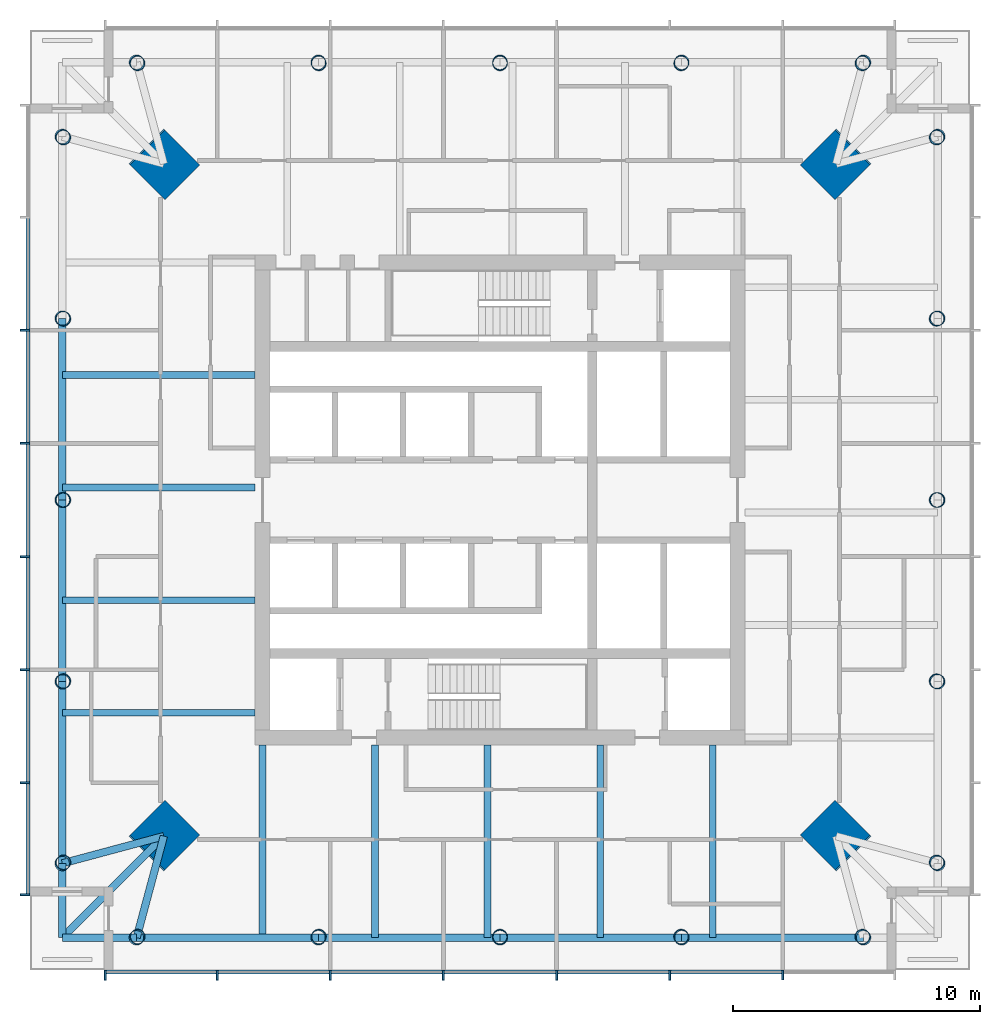
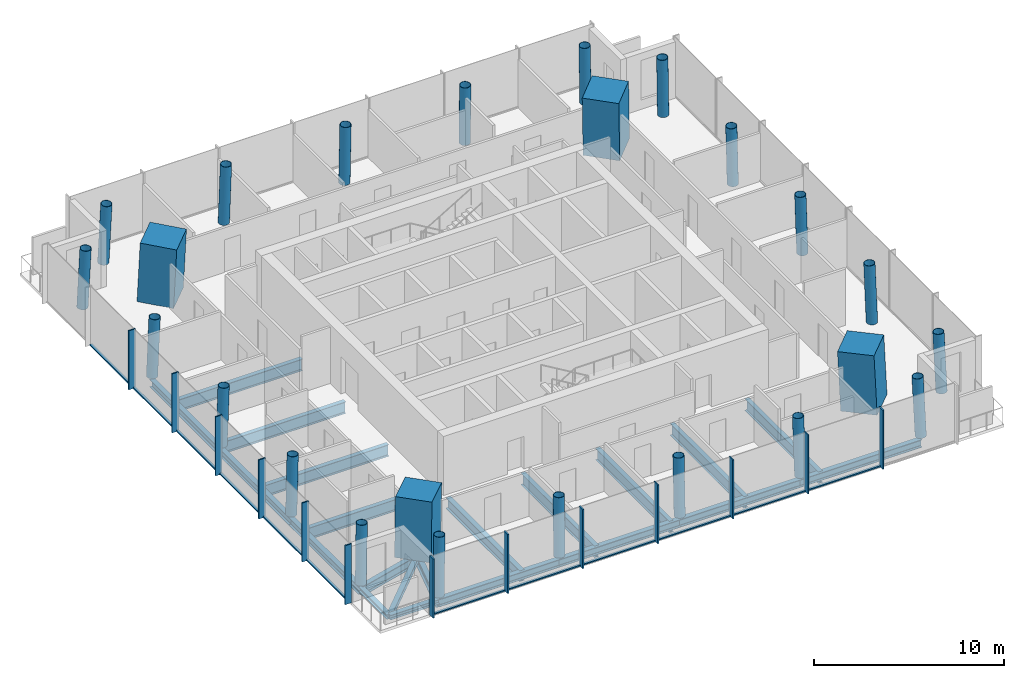
# One storey, part 1 of 7: 25 members, 24 columns, 21 beams, 2 elements without a shape of their own.
"""IFC4 building model written with IfcOpenShell, lengths in metres."""

from ifc_helpers import new_model, si_unit, direction, frame, origin, origin_2d, place, context, subcontext, project, spatial, rectangle, hollow_circle, i_section, extrude, material, material_profile, profile_set, type_object, element, aggregate, save


model = new_model("IFC4")

# Units and contexts
model_context = context("Model", 3, precision=1e-05, world=origin(), true_north=direction((0.0, 1.0)))
body_context = subcontext(model_context, "Body", "Model", "MODEL_VIEW")
ifc_project = project(units=[si_unit("LENGTHUNIT", "METRE"), si_unit("AREAUNIT", "SQUARE_METRE"), si_unit("VOLUMEUNIT", "CUBIC_METRE"), si_unit("PLANEANGLEUNIT", "RADIAN"), si_unit("MASSUNIT", "GRAM", prefix="KILO")], contexts=[model_context])

# Site, building, storey
site_placement = place(None, origin())
site = spatial("IfcSite", under=ifc_project, at=site_placement, CompositionType="ELEMENT")
building_placement = place(site_placement, origin())
building = spatial("IfcBuilding", under=site, at=building_placement, Name="Ostroluk Exchange", CompositionType="ELEMENT")
storey_placement = place(building_placement, frame((0.0, 0.0, 218.60009765625)))
storey = spatial("IfcBuildingStorey", under=building, at=storey_placement, Name="L56", CompositionType="ELEMENT", Elevation=218.60009765625)

# Columns
ifc_material_1 = material(Name="Concrete C50/60", Category="concrete")
ifc_material_profile_1 = material_profile(ifc_material_1, rectangle(XDim=2.0, YDim=2.0, at=origin_2d()), Name="RC 2000x2000")
ifc_profile_set_1 = profile_set([ifc_material_profile_1], Name="Concrete C50/60")
column_type_1 = type_object("IfcColumnType", Name="Mega column RC 2000x2000", PredefinedType="COLUMN", material=ifc_profile_set_1)
for number, where, z_axis, x_axis, name in (
    (1, (58.585693359375, 59.585693359375, 0.0), (-0.031900153262, -0.031900153262, 0.998981861919), (0.707106781187, -0.707106781187, 0.0), "T1 mega column NE"),
    (2, (31.414306640625, 59.585693359375, 0.0), (0.031900153262, -0.031900153262, 0.998981861919), (0.707106781187, 0.707106781187, 0.0), "T1 mega column NW"),
    (3, (31.414306640625, 32.414306640625, 0.0), (0.031900153262, 0.031900153262, 0.998981861919), (-0.707106781187, 0.707106781187, 0.0), "T1 mega column SW"),
    (4, (58.585693359375, 32.414306640625, 0.0), (-0.031900153262, 0.031900153262, 0.998981861919), (-0.707106781187, -0.707106781187, 0.0), "T1 mega column SE"),
):
    element("IfcColumn", number, at=place(storey_placement, frame(where, z_axis=z_axis, x_axis=x_axis)), inside=storey, type_object=column_type_1, Name=name, PredefinedType="COLUMN", context=body_context, shape_type="SweptSolid", body=[
        extrude(rectangle(XDim=2.0, YDim=2.0, at=origin_2d()), origin(), (0.0, 0.0, 1.0), 3.8037109375),
    ])
ifc_material_2 = material(Name="Steel S460", Category="steel")
ifc_material_profile_2 = material_profile(ifc_material_2, hollow_circle(Radius=0.304931640625, WallThickness=0.02490234375, at=origin_2d()), Name="CHS 610x25")
ifc_profile_set_2 = profile_set([ifc_material_profile_2], Name="Steel S460")
column_type_2 = type_object("IfcColumnType", Name="Perimeter column CHS 610x25", PredefinedType="COLUMN", material=ifc_profile_set_2)
for number, where, z_axis, x_axis, name in (
    (5, (62.685791015625, 31.314208984375, 0.0), (-0.031964207655, 0.031964207655, 0.998977766949), (-0.707106781187, -0.707106781187, 0.0), "T1 east face column E0"),
    (6, (62.685791015625, 60.685791015625, 0.0), (-0.031964207655, -0.031964207655, 0.998977766949), (0.707106781187, -0.707106781187, 0.0), "T1 east face column E1"),
):
    element("IfcColumn", number, at=place(storey_placement, frame(where, z_axis=z_axis, x_axis=x_axis)), inside=storey, type_object=column_type_2, Name=name, PredefinedType="COLUMN", context=body_context, shape_type="SweptSolid", body=[
        extrude(hollow_circle(Radius=0.304931640625, WallThickness=0.02490234375, at=origin_2d()), origin(), (0.0, 0.0, 1.0), 3.8037109375),
    ])
column_1_placement = place(storey_placement, frame((62.685791015625, 38.6572265625, 0.0), z_axis=(-0.031976494272, 0.015924037308, 0.99936176075), x_axis=(-0.445775033553, -0.895145027055, 0.0)))
element("IfcColumn", 7, at=column_1_placement, inside=storey, type_object=column_type_2, Name="T1 east face column I1", PredefinedType="COLUMN", context=body_context, shape_type="SweptSolid", body=[
    extrude(hollow_circle(Radius=0.304931640625, WallThickness=0.02490234375, at=origin_2d()), origin(), (0.0, 0.0, 1.0), 3.80224609375),
])
column_2_placement = place(storey_placement, frame((62.685791015625, 46.0, 0.0), z_axis=(-0.031980549263, 0.0, 0.999488491414), x_axis=(0.0, -1.0, 0.0)))
element("IfcColumn", 8, at=column_2_placement, inside=storey, type_object=column_type_2, Name="T1 east face column I2", PredefinedType="COLUMN", context=body_context, shape_type="SweptSolid", body=[
    extrude(hollow_circle(Radius=0.304931640625, WallThickness=0.02490234375, at=origin_2d()), origin(), (0.0, 0.0, 1.0), 3.8017578125),
])
column_3_placement = place(storey_placement, frame((62.685791015625, 53.3427734375, 0.0), z_axis=(-0.031976494272, -0.015924037308, 0.99936176075), x_axis=(0.445775033553, -0.895145027055, 0.0)))
element("IfcColumn", 9, at=column_3_placement, inside=storey, type_object=column_type_2, Name="T1 east face column I3", PredefinedType="COLUMN", context=body_context, shape_type="SweptSolid", body=[
    extrude(hollow_circle(Radius=0.304931640625, WallThickness=0.02490234375, at=origin_2d()), origin(), (0.0, 0.0, 1.0), 3.80224609375),
])
for number, where, z_axis, x_axis, name in (
    (10, (59.685791015625, 63.685791015625, 0.0), (-0.031964207655, -0.031964207655, 0.998977766949), (0.707106781187, -0.707106781187, 0.0), "T1 north face column E0"),
    (11, (30.314208984375, 63.685791015625, 0.0), (0.031964207655, -0.031964207655, 0.998977766949), (0.707106781187, 0.707106781187, 0.0), "T1 north face column E1"),
):
    element("IfcColumn", number, at=place(storey_placement, frame(where, z_axis=z_axis, x_axis=x_axis)), inside=storey, type_object=column_type_2, Name=name, PredefinedType="COLUMN", context=body_context, shape_type="SweptSolid", body=[
        extrude(hollow_circle(Radius=0.304931640625, WallThickness=0.02490234375, at=origin_2d()), origin(), (0.0, 0.0, 1.0), 3.8037109375),
    ])
column_4_placement = place(storey_placement, frame((52.3427734375, 63.685791015625, 0.0), z_axis=(-0.015924037308, -0.031976494272, 0.99936176075), x_axis=(0.895145027055, -0.445775033553, 0.0)))
element("IfcColumn", 12, at=column_4_placement, inside=storey, type_object=column_type_2, Name="T1 north face column I1", PredefinedType="COLUMN", context=body_context, shape_type="SweptSolid", body=[
    extrude(hollow_circle(Radius=0.304931640625, WallThickness=0.02490234375, at=origin_2d()), origin(), (0.0, 0.0, 1.0), 3.80224609375),
])
column_5_placement = place(storey_placement, frame((45.0, 63.685791015625, 0.0), z_axis=(0.0, -0.031980549263, 0.999488491414), x_axis=(1.0, 0.0, 0.0)))
element("IfcColumn", 13, at=column_5_placement, inside=storey, type_object=column_type_2, Name="T1 north face column I2", PredefinedType="COLUMN", context=body_context, shape_type="SweptSolid", body=[
    extrude(hollow_circle(Radius=0.304931640625, WallThickness=0.02490234375, at=origin_2d()), origin(), (0.0, 0.0, 1.0), 3.8017578125),
])
column_6_placement = place(storey_placement, frame((37.6572265625, 63.685791015625, 0.0), z_axis=(0.015924037308, -0.031976494272, 0.99936176075), x_axis=(0.895145027055, 0.445775033553, 0.0)))
element("IfcColumn", 14, at=column_6_placement, inside=storey, type_object=column_type_2, Name="T1 north face column I3", PredefinedType="COLUMN", context=body_context, shape_type="SweptSolid", body=[
    extrude(hollow_circle(Radius=0.304931640625, WallThickness=0.02490234375, at=origin_2d()), origin(), (0.0, 0.0, 1.0), 3.80224609375),
])
for number, where, z_axis, x_axis, name in (
    (15, (27.314208984375, 60.685791015625, 0.0), (0.031964207655, -0.031964207655, 0.998977766949), (0.707106781187, 0.707106781187, 0.0), "T1 west face column E0"),
    (16, (27.314208984375, 31.314208984375, 0.0), (0.031964207655, 0.031964207655, 0.998977766949), (-0.707106781187, 0.707106781187, 0.0), "T1 west face column E1"),
):
    element("IfcColumn", number, at=place(storey_placement, frame(where, z_axis=z_axis, x_axis=x_axis)), inside=storey, type_object=column_type_2, Name=name, PredefinedType="COLUMN", context=body_context, shape_type="SweptSolid", body=[
        extrude(hollow_circle(Radius=0.304931640625, WallThickness=0.02490234375, at=origin_2d()), origin(), (0.0, 0.0, 1.0), 3.8037109375),
    ])
column_7_placement = place(storey_placement, frame((27.314208984375, 53.3427734375, 0.0), z_axis=(0.031976494272, -0.015924037308, 0.99936176075), x_axis=(0.445775033553, 0.895145027055, 0.0)))
element("IfcColumn", 17, at=column_7_placement, inside=storey, type_object=column_type_2, Name="T1 west face column I1", PredefinedType="COLUMN", context=body_context, shape_type="SweptSolid", body=[
    extrude(hollow_circle(Radius=0.304931640625, WallThickness=0.02490234375, at=origin_2d()), origin(), (0.0, 0.0, 1.0), 3.80224609375),
])
column_8_placement = place(storey_placement, frame((27.314208984375, 46.0, 0.0), z_axis=(0.031980549263, 0.0, 0.999488491414), x_axis=(0.0, 1.0, 0.0)))
element("IfcColumn", 18, at=column_8_placement, inside=storey, type_object=column_type_2, Name="T1 west face column I2", PredefinedType="COLUMN", context=body_context, shape_type="SweptSolid", body=[
    extrude(hollow_circle(Radius=0.304931640625, WallThickness=0.02490234375, at=origin_2d()), origin(), (0.0, 0.0, 1.0), 3.8017578125),
])
column_9_placement = place(storey_placement, frame((27.314208984375, 38.6572265625, 0.0), z_axis=(0.031976494272, 0.015924037308, 0.99936176075), x_axis=(-0.445775033553, 0.895145027055, 0.0)))
element("IfcColumn", 19, at=column_9_placement, inside=storey, type_object=column_type_2, Name="T1 west face column I3", PredefinedType="COLUMN", context=body_context, shape_type="SweptSolid", body=[
    extrude(hollow_circle(Radius=0.304931640625, WallThickness=0.02490234375, at=origin_2d()), origin(), (0.0, 0.0, 1.0), 3.80224609375),
])
for number, where, z_axis, x_axis, name in (
    (20, (30.314208984375, 28.314208984375, 0.0), (0.031964207655, 0.031964207655, 0.998977766949), (-0.707106781187, 0.707106781187, 0.0), "T1 south face column E0"),
    (21, (59.685791015625, 28.314208984375, 0.0), (-0.031964207655, 0.031964207655, 0.998977766949), (-0.707106781187, -0.707106781187, 0.0), "T1 south face column E1"),
):
    element("IfcColumn", number, at=place(storey_placement, frame(where, z_axis=z_axis, x_axis=x_axis)), inside=storey, type_object=column_type_2, Name=name, PredefinedType="COLUMN", context=body_context, shape_type="SweptSolid", body=[
        extrude(hollow_circle(Radius=0.304931640625, WallThickness=0.02490234375, at=origin_2d()), origin(), (0.0, 0.0, 1.0), 3.8037109375),
    ])
column_10_placement = place(storey_placement, frame((37.6572265625, 28.314208984375, 0.0), z_axis=(0.015924037308, 0.031976494272, 0.99936176075), x_axis=(-0.895145027055, 0.445775033553, 0.0)))
element("IfcColumn", 22, at=column_10_placement, inside=storey, type_object=column_type_2, Name="T1 south face column I1", PredefinedType="COLUMN", context=body_context, shape_type="SweptSolid", body=[
    extrude(hollow_circle(Radius=0.304931640625, WallThickness=0.02490234375, at=origin_2d()), origin(), (0.0, 0.0, 1.0), 3.80224609375),
])
column_11_placement = place(storey_placement, frame((45.0, 28.314208984375, 0.0), z_axis=(0.0, 0.031980549263, 0.999488491414), x_axis=(-1.0, 0.0, 0.0)))
element("IfcColumn", 23, at=column_11_placement, inside=storey, type_object=column_type_2, Name="T1 south face column I2", PredefinedType="COLUMN", context=body_context, shape_type="SweptSolid", body=[
    extrude(hollow_circle(Radius=0.304931640625, WallThickness=0.02490234375, at=origin_2d()), origin(), (0.0, 0.0, 1.0), 3.8017578125),
])
column_12_placement = place(storey_placement, frame((52.3427734375, 28.314208984375, 0.0), z_axis=(-0.015924037308, 0.031976494272, 0.99936176075), x_axis=(-0.895145027055, -0.445775033553, 0.0)))
element("IfcColumn", 24, at=column_12_placement, inside=storey, type_object=column_type_2, Name="T1 south face column I3", PredefinedType="COLUMN", context=body_context, shape_type="SweptSolid", body=[
    extrude(hollow_circle(Radius=0.304931640625, WallThickness=0.02490234375, at=origin_2d()), origin(), (0.0, 0.0, 1.0), 3.80224609375),
])

# Beams
ifc_material_3 = material(Name="Steel S355", Category="steel")
ifc_material_profile_3 = material_profile(ifc_material_3, i_section(OverallWidth=0.300048828125, OverallDepth=0.300048828125, WebThickness=0.010986328125, FlangeThickness=0.01904296875, FilletRadius=0.027099609375, at=origin_2d()), Name="HEB 300")
ifc_profile_set_3 = profile_set([ifc_material_profile_3], Name="Steel S355")
beam_type_1 = type_object("IfcBeamType", Name="Balcony beam HEB 300", PredefinedType="BEAM", material=ifc_profile_set_3)
for number, where, z_axis, x_axis, name in (
    (25, (27.314208984375, 31.314208984375, -0.330078125), (0.0, -1.0, 0.0), (1.0, 0.0, 0.0), "T1 west balcony beam a"),
    (26, (30.314208984375, 28.314208984375, -0.330078125), (-1.0, 0.0, 0.0), (0.0, -1.0, 0.0), "T1 west balcony beam b"),
):
    element("IfcBeam", number, at=place(storey_placement, frame(where, z_axis=z_axis, x_axis=x_axis)), inside=storey, type_object=beam_type_1, Name=name, PredefinedType="BEAM", context=body_context, shape_type="SweptSolid", body=[
        extrude(i_section(OverallWidth=0.300048828125, OverallDepth=0.300048828125, WebThickness=0.010986328125, FlangeThickness=0.01904296875, FilletRadius=0.027099609375, at=origin_2d()), origin(), (0.0, 0.0, 1.0), 3.0),
    ])
beam_1_placement = place(storey_placement, frame((31.414306640625, 32.414306640625, -0.330078125), z_axis=(-0.707106781187, -0.707106781187, 0.0), x_axis=(0.707106781187, -0.707106781187, 0.0)))
element("IfcBeam", 27, at=beam_1_placement, inside=storey, type_object=beam_type_1, Name="T1 west balcony beam c", PredefinedType="BEAM", context=body_context, shape_type="SweptSolid", body=[
    extrude(i_section(OverallWidth=0.300048828125, OverallDepth=0.300048828125, WebThickness=0.010986328125, FlangeThickness=0.01904296875, FilletRadius=0.027099609375, at=origin_2d()), origin(), (0.0, 0.0, 1.0), 5.79833984375),
])
ifc_material_4 = material(Name="Steel S355", Category="steel")
ifc_material_profile_4 = material_profile(ifc_material_4, i_section(OverallWidth=0.300048828125, OverallDepth=0.60009765625, WebThickness=0.015380859375, FlangeThickness=0.030029296875, FilletRadius=0.027099609375, at=origin_2d()), Name="HEB 600")
ifc_profile_set_4 = profile_set([ifc_material_profile_4], Name="Steel S355")
beam_type_2 = type_object("IfcBeamType", Name="Corner edge beam HEB 600", PredefinedType="SPANDREL", material=ifc_profile_set_4)
for number, where, z_axis, x_axis, name in (
    (28, (31.414306640625, 32.414306640625, -0.47998046875), (-0.965838624319, -0.259144268261, 0.0), (0.259144268261, -0.965838624319, 0.0), "T1 west corner edge beam a"),
    (29, (31.414306640625, 32.414306640625, -0.47998046875), (-0.259144268261, -0.965838624319, 0.0), (0.965838624319, -0.259144268261, 0.0), "T1 west corner edge beam b"),
):
    element("IfcBeam", number, at=place(storey_placement, frame(where, z_axis=z_axis, x_axis=x_axis)), inside=storey, type_object=beam_type_2, Name=name, PredefinedType="SPANDREL", context=body_context, shape_type="SweptSolid", body=[
        extrude(i_section(OverallWidth=0.300048828125, OverallDepth=0.60009765625, WebThickness=0.015380859375, FlangeThickness=0.030029296875, FilletRadius=0.027099609375, at=origin_2d()), origin(), (0.0, 0.0, 1.0), 4.2451171875),
    ])
ifc_material_5 = material(Name="Steel S355", Category="steel")
ifc_material_profile_5 = material_profile(ifc_material_5, i_section(OverallWidth=0.264892578125, OverallDepth=0.7529296875, WebThickness=0.01318359375, FlangeThickness=0.01708984375, FilletRadius=0.01708984375, at=origin_2d()), Name="IPE 750x147")
ifc_profile_set_5 = profile_set([ifc_material_profile_5], Name="Steel S355")
beam_type_3 = type_object("IfcBeamType", Name="Floor beam IPE 750x147", PredefinedType="BEAM", material=ifc_profile_set_5)
for number, where, z_axis, x_axis, name in (
    (30, (35.10009765625, 51.052490234375, -0.556640625), (-1.0, 0.0, 0.0), (0.0, -1.0, 0.0), "T1 west floor beam 1"),
    (31, (35.10009765625, 46.5048828125, -0.556640625), (-1.0, 0.0, 0.0), (0.0, -1.0, 0.0), "T1 west floor beam 2"),
    (32, (35.10009765625, 41.95703125, -0.556640625), (-1.0, 0.0, 0.0), (0.0, -1.0, 0.0), "T1 west floor beam 3"),
    (33, (35.10009765625, 37.409423828125, -0.556640625), (-1.0, 0.0, 0.0), (0.0, -1.0, 0.0), "T1 west floor beam 4"),
    (34, (39.947509765625, 36.10009765625, -0.556640625), (0.0, -1.0, 0.0), (1.0, 0.0, 0.0), "T1 south floor beam 1"),
    (35, (44.4951171875, 36.10009765625, -0.556640625), (0.0, -1.0, 0.0), (1.0, 0.0, 0.0), "T1 south floor beam 2"),
    (36, (49.04296875, 36.10009765625, -0.556640625), (0.0, -1.0, 0.0), (1.0, 0.0, 0.0), "T1 south floor beam 3"),
    (37, (53.590576171875, 36.10009765625, -0.556640625), (0.0, -1.0, 0.0), (1.0, 0.0, 0.0), "T1 south floor beam 4"),
):
    element("IfcBeam", number, at=place(storey_placement, frame(where, z_axis=z_axis, x_axis=x_axis)), inside=storey, type_object=beam_type_3, Name=name, PredefinedType="BEAM", context=body_context, shape_type="SweptSolid", body=[
        extrude(i_section(OverallWidth=0.264892578125, OverallDepth=0.7529296875, WebThickness=0.01318359375, FlangeThickness=0.01708984375, FilletRadius=0.01708984375, at=origin_2d()), origin(), (0.0, 0.0, 1.0), 7.785888671875),
    ])
ifc_material_6 = material(Name="Steel S355", Category="steel")
ifc_material_profile_6 = material_profile(ifc_material_6, i_section(OverallWidth=0.300048828125, OverallDepth=0.699951171875, WebThickness=0.01708984375, FlangeThickness=0.031982421875, FilletRadius=0.027099609375, at=origin_2d()), Name="HEB 700")
ifc_profile_set_6 = profile_set([ifc_material_profile_6], Name="Steel S355")
beam_type_4 = type_object("IfcBeamType", Name="Girder HEB 700", PredefinedType="BEAM", material=ifc_profile_set_6)
beam_2_placement = place(storey_placement, frame((35.39990234375, 36.10009765625, -0.530029296875), z_axis=(0.0, -1.0, 0.0), x_axis=(1.0, 0.0, 0.0)))
element("IfcBeam", 38, at=beam_2_placement, inside=storey, type_object=beam_type_4, Name="T1 west girder", PredefinedType="BEAM", context=body_context, shape_type="SweptSolid", body=[
    extrude(i_section(OverallWidth=0.300048828125, OverallDepth=0.699951171875, WebThickness=0.01708984375, FlangeThickness=0.031982421875, FilletRadius=0.027099609375, at=origin_2d()), origin(), (0.0, 0.0, 1.0), 7.785888671875),
])
ifc_material_7 = material(Name="Steel S355", Category="steel")
ifc_material_profile_7 = material_profile(ifc_material_7, i_section(OverallWidth=0.300048828125, OverallDepth=0.5, WebThickness=0.014404296875, FlangeThickness=0.028076171875, FilletRadius=0.027099609375, at=origin_2d()), Name="HEB 500")
ifc_profile_set_7 = profile_set([ifc_material_profile_7], Name="Steel S355")
beam_type_5 = type_object("IfcBeamType", Name="Moment-connected edge beam HEB 500", PredefinedType="SPANDREL", material=ifc_profile_set_7)
for number, where, z_axis, x_axis, name in (
    (39, (27.314208984375, 53.3427734375, -0.43017578125), (0.0, -1.0, 0.0), (1.0, 0.0, 0.0), "T1 west edge beam 2"),
    (40, (27.314208984375, 46.0, -0.43017578125), (0.0, -1.0, 0.0), (1.0, 0.0, 0.0), "T1 west edge beam 3"),
):
    element("IfcBeam", number, at=place(storey_placement, frame(where, z_axis=z_axis, x_axis=x_axis)), inside=storey, type_object=beam_type_5, Name=name, PredefinedType="SPANDREL", context=body_context, shape_type="SweptSolid", body=[
        extrude(i_section(OverallWidth=0.300048828125, OverallDepth=0.5, WebThickness=0.014404296875, FlangeThickness=0.028076171875, FilletRadius=0.027099609375, at=origin_2d()), origin(), (0.0, 0.0, 1.0), 7.3427734375),
    ])
for number, where, z_axis, x_axis, name in (
    (41, (27.314208984375, 38.6572265625, -0.43017578125), (0.0, -1.0, 0.0), (1.0, 0.0, 0.0), "T1 west edge beam 4"),
    (42, (30.314208984375, 28.314208984375, -0.43017578125), (1.0, 0.0, 0.0), (0.0, 1.0, 0.0), "T1 south edge beam 1"),
):
    element("IfcBeam", number, at=place(storey_placement, frame(where, z_axis=z_axis, x_axis=x_axis)), inside=storey, type_object=beam_type_5, Name=name, PredefinedType="SPANDREL", context=body_context, shape_type="SweptSolid", body=[
        extrude(i_section(OverallWidth=0.300048828125, OverallDepth=0.5, WebThickness=0.014404296875, FlangeThickness=0.028076171875, FilletRadius=0.027099609375, at=origin_2d()), origin(), (0.0, 0.0, 1.0), 7.343017578125),
    ])
for number, where, z_axis, x_axis, name in (
    (43, (37.6572265625, 28.314208984375, -0.43017578125), (1.0, 0.0, 0.0), (0.0, 1.0, 0.0), "T1 south edge beam 2"),
    (44, (45.0, 28.314208984375, -0.43017578125), (1.0, 0.0, 0.0), (0.0, 1.0, 0.0), "T1 south edge beam 3"),
):
    element("IfcBeam", number, at=place(storey_placement, frame(where, z_axis=z_axis, x_axis=x_axis)), inside=storey, type_object=beam_type_5, Name=name, PredefinedType="SPANDREL", context=body_context, shape_type="SweptSolid", body=[
        extrude(i_section(OverallWidth=0.300048828125, OverallDepth=0.5, WebThickness=0.014404296875, FlangeThickness=0.028076171875, FilletRadius=0.027099609375, at=origin_2d()), origin(), (0.0, 0.0, 1.0), 7.3427734375),
    ])
beam_3_placement = place(storey_placement, frame((52.3427734375, 28.314208984375, -0.43017578125), z_axis=(1.0, 0.0, 0.0), x_axis=(0.0, 1.0, 0.0)))
element("IfcBeam", 45, at=beam_3_placement, inside=storey, type_object=beam_type_5, Name="T1 south edge beam 4", PredefinedType="SPANDREL", context=body_context, shape_type="SweptSolid", body=[
    extrude(i_section(OverallWidth=0.300048828125, OverallDepth=0.5, WebThickness=0.014404296875, FlangeThickness=0.028076171875, FilletRadius=0.027099609375, at=origin_2d()), origin(), (0.0, 0.0, 1.0), 7.343017578125),
])

# Curtain wall, members
ifc_material_8 = material(Name="Laminated clear glass", Category="glass")
curtain_wall_type = type_object("IfcCurtainWallType", Name="Office tower facade", PredefinedType="USERDEFINED", material=ifc_material_8)
curtain_wall_1_placement = place(storey_placement, origin())
curtain_wall_1 = element("IfcCurtainWall", 46, at=curtain_wall_1_placement, inside=storey, type_object=curtain_wall_type, Name="Office tower south facade L56", ObjectType="UNITISED CURTAIN WALL", PredefinedType="USERDEFINED")
ifc_material_9 = material(Name="Aluminium mullion", Category="aluminium")
ifc_material_profile_8 = material_profile(ifc_material_9, rectangle(XDim=0.14990234375, YDim=0.080078125, at=origin_2d()), Name="Sill transom 80 x 150")
ifc_profile_set_8 = profile_set([ifc_material_profile_8], Name="Aluminium mullion")
member_type_1 = type_object("IfcMemberType", Name="Sill transom 80 x 150", PredefinedType="USERDEFINED", material=ifc_profile_set_8)
member_1_placement = place(storey_placement, frame((29.080078125, 26.925048828125, 0.039794921875), z_axis=(1.0, 0.0, 0.0), x_axis=(0.0, 1.0, 0.0)))
member_1 = element("IfcMember", 47, at=member_1_placement, type_object=member_type_1, Name="CW-O1 transom 1.1", ObjectType="TRANSOM", PredefinedType="USERDEFINED", context=body_context, shape_type="SweptSolid", body=[
    extrude(rectangle(XDim=0.14990234375, YDim=0.080078125, at=origin_2d()), origin(), (0.0, 0.0, 1.0), 4.451416015625),
])
member_2_placement = place(storey_placement, frame((33.611328125, 26.925048828125, 0.039794921875), z_axis=(1.0, 0.0, 0.0), x_axis=(0.0, 1.0, 0.0)))
member_2 = element("IfcMember", 48, at=member_2_placement, type_object=member_type_1, Name="CW-O1 transom 2.1", ObjectType="TRANSOM", PredefinedType="USERDEFINED", context=body_context, shape_type="SweptSolid", body=[
    extrude(rectangle(XDim=0.14990234375, YDim=0.080078125, at=origin_2d()), origin(), (0.0, 0.0, 1.0), 4.491455078125),
])
member_3_placement = place(storey_placement, frame((38.182861328125, 26.925048828125, 0.039794921875), z_axis=(1.0, 0.0, 0.0), x_axis=(0.0, 1.0, 0.0)))
member_3 = element("IfcMember", 49, at=member_3_placement, type_object=member_type_1, Name="CW-O1 transom 3.1", ObjectType="TRANSOM", PredefinedType="USERDEFINED", context=body_context, shape_type="SweptSolid", body=[
    extrude(rectangle(XDim=0.14990234375, YDim=0.080078125, at=origin_2d()), origin(), (0.0, 0.0, 1.0), 4.491455078125),
])
member_4_placement = place(storey_placement, frame((42.75439453125, 26.925048828125, 0.039794921875), z_axis=(1.0, 0.0, 0.0), x_axis=(0.0, 1.0, 0.0)))
member_4 = element("IfcMember", 50, at=member_4_placement, type_object=member_type_1, Name="CW-O1 transom 4.1", ObjectType="TRANSOM", PredefinedType="USERDEFINED", context=body_context, shape_type="SweptSolid", body=[
    extrude(rectangle(XDim=0.14990234375, YDim=0.080078125, at=origin_2d()), origin(), (0.0, 0.0, 1.0), 4.4912109375),
])
member_5_placement = place(storey_placement, frame((47.32568359375, 26.925048828125, 0.039794921875), z_axis=(1.0, 0.0, 0.0), x_axis=(0.0, 1.0, 0.0)))
member_5 = element("IfcMember", 51, at=member_5_placement, type_object=member_type_1, Name="CW-O1 transom 5.1", ObjectType="TRANSOM", PredefinedType="USERDEFINED", context=body_context, shape_type="SweptSolid", body=[
    extrude(rectangle(XDim=0.14990234375, YDim=0.080078125, at=origin_2d()), origin(), (0.0, 0.0, 1.0), 4.491455078125),
])
member_6_placement = place(storey_placement, frame((51.897216796875, 26.925048828125, 0.039794921875), z_axis=(1.0, 0.0, 0.0), x_axis=(0.0, 1.0, 0.0)))
member_6 = element("IfcMember", 52, at=member_6_placement, type_object=member_type_1, Name="CW-O1 transom 6.1", ObjectType="TRANSOM", PredefinedType="USERDEFINED", context=body_context, shape_type="SweptSolid", body=[
    extrude(rectangle(XDim=0.14990234375, YDim=0.080078125, at=origin_2d()), origin(), (0.0, 0.0, 1.0), 4.491455078125),
])

curtain_wall_2_placement = place(storey_placement, origin())
curtain_wall_2 = element("IfcCurtainWall", 53, at=curtain_wall_2_placement, inside=storey, type_object=curtain_wall_type, Name="Office tower west facade L56", ObjectType="UNITISED CURTAIN WALL", PredefinedType="USERDEFINED")
member_7_placement = place(storey_placement, frame((25.925048828125, 57.388671875, 0.039794921875), z_axis=(0.0, -1.0, 0.0), x_axis=(1.0, 0.0, 0.0)))
member_7 = element("IfcMember", 54, at=member_7_placement, type_object=member_type_1, Name="CW-O1 transom 2.1", ObjectType="TRANSOM", PredefinedType="USERDEFINED", context=body_context, shape_type="SweptSolid", body=[
    extrude(rectangle(XDim=0.14990234375, YDim=0.080078125, at=origin_2d()), origin(), (0.0, 0.0, 1.0), 4.491455078125),
])
member_8_placement = place(storey_placement, frame((25.925048828125, 52.817138671875, 0.039794921875), z_axis=(0.0, -1.0, 0.0), x_axis=(1.0, 0.0, 0.0)))
member_8 = element("IfcMember", 55, at=member_8_placement, type_object=member_type_1, Name="CW-O1 transom 3.1", ObjectType="TRANSOM", PredefinedType="USERDEFINED", context=body_context, shape_type="SweptSolid", body=[
    extrude(rectangle(XDim=0.14990234375, YDim=0.080078125, at=origin_2d()), origin(), (0.0, 0.0, 1.0), 4.491455078125),
])
member_9_placement = place(storey_placement, frame((25.925048828125, 48.24560546875, 0.039794921875), z_axis=(0.0, -1.0, 0.0), x_axis=(1.0, 0.0, 0.0)))
member_9 = element("IfcMember", 56, at=member_9_placement, type_object=member_type_1, Name="CW-O1 transom 4.1", ObjectType="TRANSOM", PredefinedType="USERDEFINED", context=body_context, shape_type="SweptSolid", body=[
    extrude(rectangle(XDim=0.14990234375, YDim=0.080078125, at=origin_2d()), origin(), (0.0, 0.0, 1.0), 4.4912109375),
])
member_10_placement = place(storey_placement, frame((25.925048828125, 43.67431640625, 0.039794921875), z_axis=(0.0, -1.0, 0.0), x_axis=(1.0, 0.0, 0.0)))
member_10 = element("IfcMember", 57, at=member_10_placement, type_object=member_type_1, Name="CW-O1 transom 5.1", ObjectType="TRANSOM", PredefinedType="USERDEFINED", context=body_context, shape_type="SweptSolid", body=[
    extrude(rectangle(XDim=0.14990234375, YDim=0.080078125, at=origin_2d()), origin(), (0.0, 0.0, 1.0), 4.491455078125),
])
member_11_placement = place(storey_placement, frame((25.925048828125, 39.102783203125, 0.039794921875), z_axis=(0.0, -1.0, 0.0), x_axis=(1.0, 0.0, 0.0)))
member_11 = element("IfcMember", 58, at=member_11_placement, type_object=member_type_1, Name="CW-O1 transom 6.1", ObjectType="TRANSOM", PredefinedType="USERDEFINED", context=body_context, shape_type="SweptSolid", body=[
    extrude(rectangle(XDim=0.14990234375, YDim=0.080078125, at=origin_2d()), origin(), (0.0, 0.0, 1.0), 4.491455078125),
])
member_12_placement = place(storey_placement, frame((25.925048828125, 34.531494140625, 0.039794921875), z_axis=(0.0, -1.0, 0.0), x_axis=(1.0, 0.0, 0.0)))
member_12 = element("IfcMember", 59, at=member_12_placement, type_object=member_type_1, Name="CW-O1 transom 7.1", ObjectType="TRANSOM", PredefinedType="USERDEFINED", context=body_context, shape_type="SweptSolid", body=[
    extrude(rectangle(XDim=0.14990234375, YDim=0.080078125, at=origin_2d()), origin(), (0.0, 0.0, 1.0), 4.451416015625),
])

# Member
ifc_material_10 = material(Name="Aluminium mullion with limestone facing", Category="masonry")
ifc_material_profile_9 = material_profile(ifc_material_10, rectangle(XDim=0.39990234375, YDim=0.080078125, at=origin_2d()), Name="Tracery mullion 80 x 400")
ifc_profile_set_9 = profile_set([ifc_material_profile_9], Name="Aluminium mullion with limestone facing")
member_type_2 = type_object("IfcMemberType", Name="Tracery mullion 80 x 400", PredefinedType="MULLION", material=ifc_profile_set_9)
member_13_placement = place(storey_placement, frame((29.0400390625, 26.800048828125, 0.0), z_axis=(0.0, 0.0, 1.0), x_axis=(0.0, 1.0, 0.0)))
member_13 = element("IfcMember", 60, at=member_13_placement, type_object=member_type_2, Name="CW-O1 mullion 1", PredefinedType="MULLION", context=body_context, shape_type="SweptSolid", body=[
    extrude(rectangle(XDim=0.39990234375, YDim=0.080078125, at=origin_2d()), origin(), (0.0, 0.0, 1.0), 3.7998046875),
])

member_14_placement = place(storey_placement, frame((33.571533203125, 26.800048828125, 0.0), z_axis=(0.0, 0.0, 1.0), x_axis=(0.0, 1.0, 0.0)))
member_14 = element("IfcMember", 61, at=member_14_placement, type_object=member_type_2, Name="CW-O1 mullion 2", PredefinedType="MULLION", context=body_context, shape_type="SweptSolid", body=[
    extrude(rectangle(XDim=0.39990234375, YDim=0.080078125, at=origin_2d()), origin(), (0.0, 0.0, 1.0), 3.7998046875),
])

member_15_placement = place(storey_placement, frame((38.142822265625, 26.800048828125, 0.0), z_axis=(0.0, 0.0, 1.0), x_axis=(0.0, 1.0, 0.0)))
member_15 = element("IfcMember", 62, at=member_15_placement, type_object=member_type_2, Name="CW-O1 mullion 3", PredefinedType="MULLION", context=body_context, shape_type="SweptSolid", body=[
    extrude(rectangle(XDim=0.39990234375, YDim=0.080078125, at=origin_2d()), origin(), (0.0, 0.0, 1.0), 3.7998046875),
])

member_16_placement = place(storey_placement, frame((42.71435546875, 26.800048828125, 0.0), z_axis=(0.0, 0.0, 1.0), x_axis=(0.0, 1.0, 0.0)))
member_16 = element("IfcMember", 63, at=member_16_placement, type_object=member_type_2, Name="CW-O1 mullion 4", PredefinedType="MULLION", context=body_context, shape_type="SweptSolid", body=[
    extrude(rectangle(XDim=0.39990234375, YDim=0.080078125, at=origin_2d()), origin(), (0.0, 0.0, 1.0), 3.7998046875),
])

member_17_placement = place(storey_placement, frame((47.28564453125, 26.800048828125, 0.0), z_axis=(0.0, 0.0, 1.0), x_axis=(0.0, 1.0, 0.0)))
member_17 = element("IfcMember", 64, at=member_17_placement, type_object=member_type_2, Name="CW-O1 mullion 5", PredefinedType="MULLION", context=body_context, shape_type="SweptSolid", body=[
    extrude(rectangle(XDim=0.39990234375, YDim=0.080078125, at=origin_2d()), origin(), (0.0, 0.0, 1.0), 3.7998046875),
])

member_18_placement = place(storey_placement, frame((51.857177734375, 26.800048828125, 0.0), z_axis=(0.0, 0.0, 1.0), x_axis=(0.0, 1.0, 0.0)))
member_18 = element("IfcMember", 65, at=member_18_placement, type_object=member_type_2, Name="CW-O1 mullion 6", PredefinedType="MULLION", context=body_context, shape_type="SweptSolid", body=[
    extrude(rectangle(XDim=0.39990234375, YDim=0.080078125, at=origin_2d()), origin(), (0.0, 0.0, 1.0), 3.7998046875),
])

member_19_placement = place(storey_placement, frame((56.428466796875, 26.800048828125, 0.0), z_axis=(0.0, 0.0, 1.0), x_axis=(0.0, 1.0, 0.0)))
member_19 = element("IfcMember", 66, at=member_19_placement, type_object=member_type_2, Name="CW-O1 mullion 7", PredefinedType="MULLION", context=body_context, shape_type="SweptSolid", body=[
    extrude(rectangle(XDim=0.39990234375, YDim=0.080078125, at=origin_2d()), origin(), (0.0, 0.0, 1.0), 3.7998046875),
])

aggregate(curtain_wall_1, [member_13, member_14, member_15, member_16, member_17, member_18, member_19, member_1, member_2, member_3, member_4, member_5, member_6])

member_20_placement = place(storey_placement, frame((25.800048828125, 52.857177734375, 0.0), z_axis=(0.0, 0.0, 1.0), x_axis=(1.0, 0.0, 0.0)))
member_20 = element("IfcMember", 67, at=member_20_placement, type_object=member_type_2, Name="CW-O1 mullion 3", PredefinedType="MULLION", context=body_context, shape_type="SweptSolid", body=[
    extrude(rectangle(XDim=0.39990234375, YDim=0.080078125, at=origin_2d()), origin(), (0.0, 0.0, 1.0), 3.7998046875),
])

member_21_placement = place(storey_placement, frame((25.800048828125, 48.28564453125, 0.0), z_axis=(0.0, 0.0, 1.0), x_axis=(1.0, 0.0, 0.0)))
member_21 = element("IfcMember", 68, at=member_21_placement, type_object=member_type_2, Name="CW-O1 mullion 4", PredefinedType="MULLION", context=body_context, shape_type="SweptSolid", body=[
    extrude(rectangle(XDim=0.39990234375, YDim=0.080078125, at=origin_2d()), origin(), (0.0, 0.0, 1.0), 3.7998046875),
])

member_22_placement = place(storey_placement, frame((25.800048828125, 43.71435546875, 0.0), z_axis=(0.0, 0.0, 1.0), x_axis=(1.0, 0.0, 0.0)))
member_22 = element("IfcMember", 69, at=member_22_placement, type_object=member_type_2, Name="CW-O1 mullion 5", PredefinedType="MULLION", context=body_context, shape_type="SweptSolid", body=[
    extrude(rectangle(XDim=0.39990234375, YDim=0.080078125, at=origin_2d()), origin(), (0.0, 0.0, 1.0), 3.7998046875),
])

member_23_placement = place(storey_placement, frame((25.800048828125, 39.142822265625, 0.0), z_axis=(0.0, 0.0, 1.0), x_axis=(1.0, 0.0, 0.0)))
member_23 = element("IfcMember", 70, at=member_23_placement, type_object=member_type_2, Name="CW-O1 mullion 6", PredefinedType="MULLION", context=body_context, shape_type="SweptSolid", body=[
    extrude(rectangle(XDim=0.39990234375, YDim=0.080078125, at=origin_2d()), origin(), (0.0, 0.0, 1.0), 3.7998046875),
])

member_24_placement = place(storey_placement, frame((25.800048828125, 34.571533203125, 0.0), z_axis=(0.0, 0.0, 1.0), x_axis=(1.0, 0.0, 0.0)))
member_24 = element("IfcMember", 71, at=member_24_placement, type_object=member_type_2, Name="CW-O1 mullion 7", PredefinedType="MULLION", context=body_context, shape_type="SweptSolid", body=[
    extrude(rectangle(XDim=0.39990234375, YDim=0.080078125, at=origin_2d()), origin(), (0.0, 0.0, 1.0), 3.7998046875),
])

member_25_placement = place(storey_placement, frame((25.800048828125, 30.0400390625, 0.0), z_axis=(0.0, 0.0, 1.0), x_axis=(1.0, 0.0, 0.0)))
member_25 = element("IfcMember", 72, at=member_25_placement, type_object=member_type_2, Name="CW-O1 mullion 8", PredefinedType="MULLION", context=body_context, shape_type="SweptSolid", body=[
    extrude(rectangle(XDim=0.39990234375, YDim=0.080078125, at=origin_2d()), origin(), (0.0, 0.0, 1.0), 3.7998046875),
])

aggregate(curtain_wall_2, [member_20, member_21, member_22, member_23, member_24, member_25, member_7, member_8, member_9, member_10, member_11, member_12])

save(model, "model.ifc")
